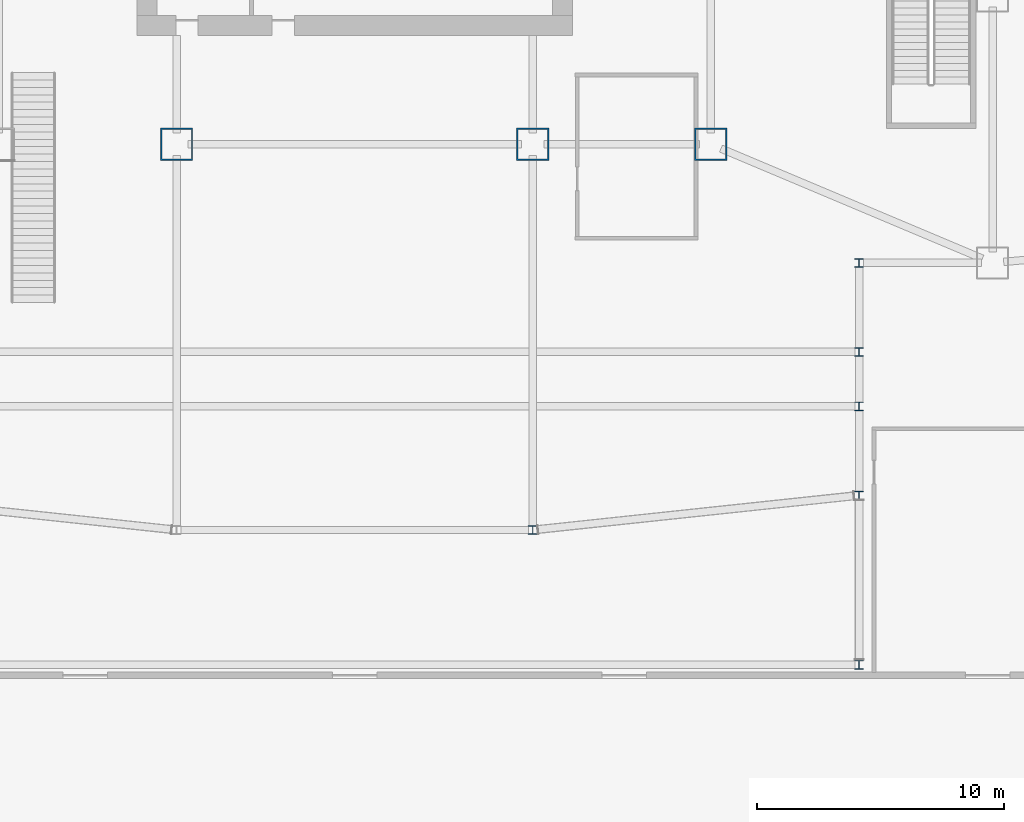
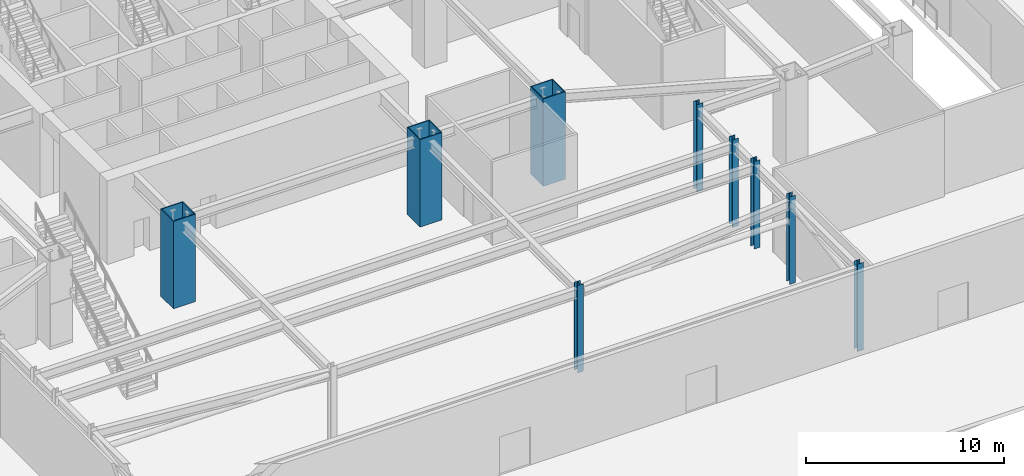
# One storey, part 2 of 20: 9 columns.
"""IFC4 building model written with IfcOpenShell, lengths in metres."""

from ifc_helpers import new_model, si_unit, direction, frame, origin, origin_2d, place, context, subcontext, project, spatial, hollow_rectangle, i_section, extrude, material, material_profile, profile_set, type_object, element, save


model = new_model("IFC4")

# Units and contexts
model_context = context("Model", 3, precision=1e-05, world=origin(), true_north=direction((0.0, 1.0)))
body_context = subcontext(model_context, "Body", "Model", "MODEL_VIEW")
ifc_project = project(units=[si_unit("LENGTHUNIT", "METRE"), si_unit("AREAUNIT", "SQUARE_METRE"), si_unit("VOLUMEUNIT", "CUBIC_METRE"), si_unit("PLANEANGLEUNIT", "RADIAN"), si_unit("MASSUNIT", "GRAM", prefix="KILO")], contexts=[model_context])

# Site, building, storey
site_placement = place(None, origin())
site = spatial("IfcSite", under=ifc_project, at=site_placement, CompositionType="ELEMENT")
building_placement = place(site_placement, origin())
building = spatial("IfcBuilding", under=site, at=building_placement, Name="Haolan Belvedere Tower", CompositionType="ELEMENT")
storey_placement = place(building_placement, origin())
storey = spatial("IfcBuildingStorey", under=building, at=storey_placement, Name="L00", CompositionType="ELEMENT", Elevation=0.0)

# Columns
ifc_material = material(Name="Steel Q355B", Category="steel")
ifc_material_profile_1 = material_profile(ifc_material, hollow_rectangle(XDim=1.300048828125, YDim=1.300048828125, WallThickness=0.048095703125, at=origin_2d()), Name="Steel Q355B")
ifc_profile_set_1 = profile_set([ifc_material_profile_1], Name="Steel Q355B")
column_type_1 = type_object("IfcColumnType", Name="COL-BOX1300x1300x48", PredefinedType="COLUMN", material=ifc_profile_set_1)
for number, where, z_axis, x_axis, name in (
    (1, (52.800048828125, 21.60009765625, 0.0), (0.0, 0.0, 1.0), (1.0, 0.0, 0.0), "L00 column MC-T3-SE (BOX1300x1300x48)"),
    (2, (31.199951171875, 21.60009765625, 0.0), (0.0, 0.0, 1.0), (1.0, 0.0, 0.0), "L00 column MC-T3-S1 (BOX1300x1300x48)"),
    (3, (45.60009765625, 21.60009765625, 0.0), (0.0, 0.0, 1.0), (1.0, 0.0, 0.0), "L00 column MC-T3-S2 (BOX1300x1300x48)"),
):
    element("IfcColumn", number, at=place(storey_placement, frame(where, z_axis=z_axis, x_axis=x_axis)), inside=storey, type_object=column_type_1, Name=name, PredefinedType="COLUMN", context=body_context, shape_type="SweptSolid", body=[
        extrude(hollow_rectangle(XDim=1.300048828125, YDim=1.300048828125, WallThickness=0.048095703125, at=origin_2d()), origin(), (0.0, 0.0, 1.0), 5.39990234375),
    ])
ifc_material_profile_2 = material_profile(ifc_material, i_section(OverallWidth=0.35009765625, OverallDepth=0.35009765625, WebThickness=0.011962890625, FlangeThickness=0.01904296875, FilletRadius=0.02001953125, at=origin_2d()), Name="Steel Q355B")
ifc_profile_set_2 = profile_set([ifc_material_profile_2], Name="Steel Q355B")
column_type_2 = type_object("IfcColumnType", Name="COL-HW350x350x12x19", PredefinedType="COLUMN", material=ifc_profile_set_2)
for number, where, z_axis, x_axis, name in (
    (4, (58.800048828125, 0.550048828125, 0.0), (0.0, 0.0, 1.0), (1.0, 0.0, 0.0), "L00 column PC-S0-E (HW350x350x12x19)"),
    (5, (58.800048828125, 7.39990234375, 0.0), (0.0, 0.0, 1.0), (1.0, 0.0, 0.0), "L00 column PC-SE-1 (HW350x350x12x19)"),
    (6, (45.60009765625, 6.0, 0.0), (0.0, 0.0, 1.0), (1.0, 0.0, 0.0), "L00 column PC-SM-2 (HW350x350x12x19)"),
    (7, (58.800048828125, 11.0, 0.0), (0.0, 0.0, 1.0), (1.0, 0.0, 0.0), "L00 column PC-CS2-E (HW350x350x12x19)"),
    (8, (58.800048828125, 13.199951171875, 0.0), (0.0, 0.0, 1.0), (1.0, 0.0, 0.0), "L00 column PC-CS3-E (HW350x350x12x19)"),
    (9, (58.800048828125, 16.800048828125, 0.0), (0.0, 0.0, 1.0), (1.0, 0.0, 0.0), "L00 column PC-CS4-E (HW350x350x12x19)"),
):
    element("IfcColumn", number, at=place(storey_placement, frame(where, z_axis=z_axis, x_axis=x_axis)), inside=storey, type_object=column_type_2, Name=name, PredefinedType="COLUMN", context=body_context, shape_type="SweptSolid", body=[
        extrude(i_section(OverallWidth=0.35009765625, OverallDepth=0.35009765625, WebThickness=0.011962890625, FlangeThickness=0.01904296875, FilletRadius=0.02001953125, at=origin_2d()), origin(), (0.0, 0.0, 1.0), 5.39990234375),
    ])

save(model, "model.ifc")
